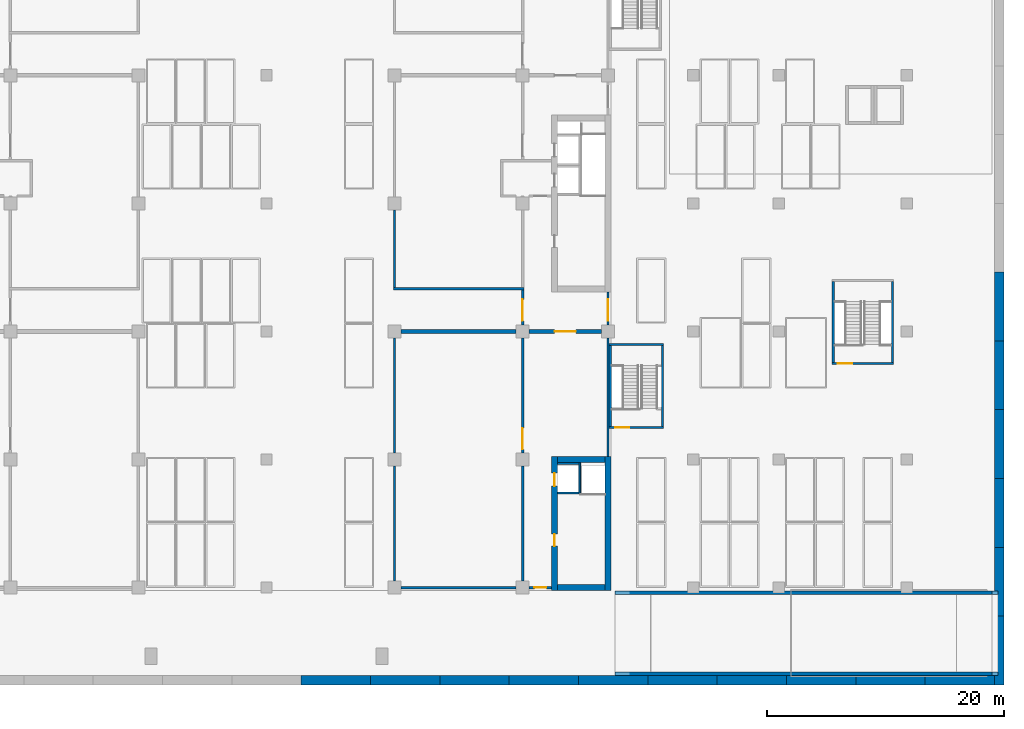
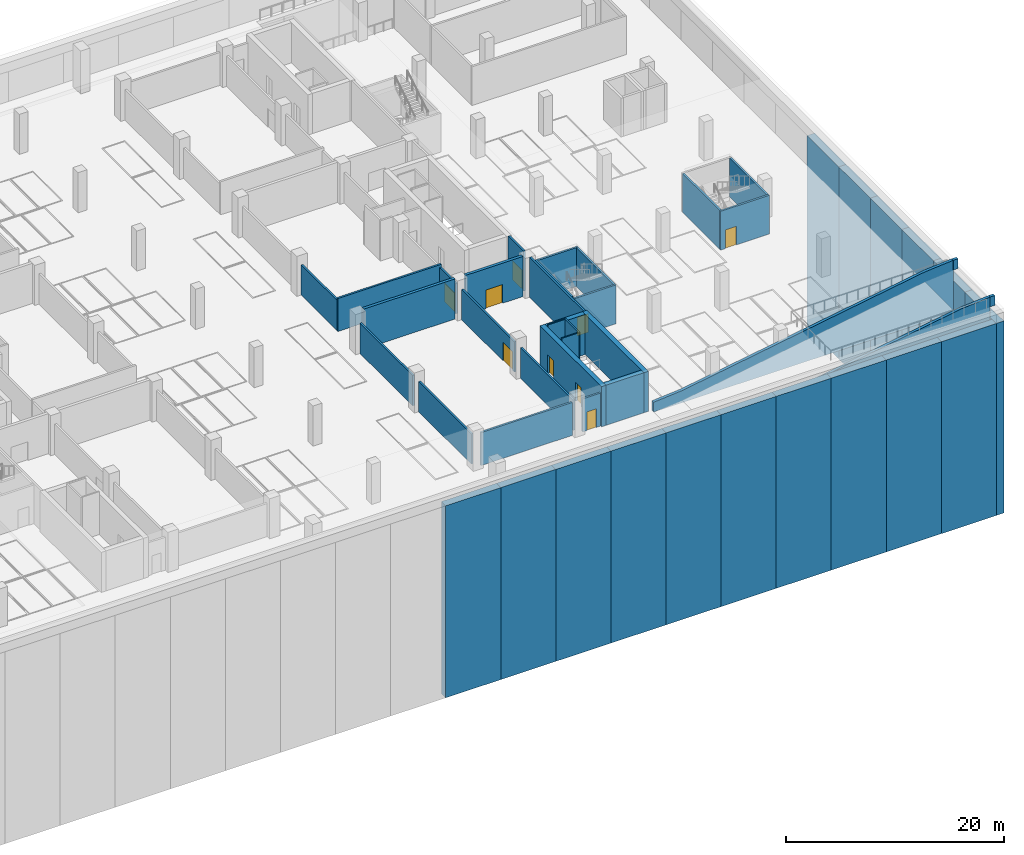
# One storey, part 5 of 18: 47 walls, 9 doors, 9 openings.
"""IFC4 building model written with IfcOpenShell, lengths in metres."""

from ifc_helpers import new_model, si_unit, direction, frame, frame_2d, origin, place, context, subcontext, project, spatial, polyline, rectangle, outline, extrude, material, layer, layer_set, type_object, element, fill, save


model = new_model("IFC4")

# Units and contexts
model_context = context("Model", 3, precision=1e-05, world=origin(), true_north=direction((0.0, 1.0)))
body_context = subcontext(model_context, "Body", "Model", "MODEL_VIEW")
ifc_project = project(units=[si_unit("LENGTHUNIT", "METRE"), si_unit("AREAUNIT", "SQUARE_METRE"), si_unit("VOLUMEUNIT", "CUBIC_METRE"), si_unit("PLANEANGLEUNIT", "RADIAN"), si_unit("MASSUNIT", "GRAM", prefix="KILO")], contexts=[model_context])

# Site, building, storey
site_placement = place(None, origin())
site = spatial("IfcSite", under=ifc_project, at=site_placement, CompositionType="ELEMENT")
building_placement = place(site_placement, origin())
building = spatial("IfcBuilding", under=site, at=building_placement, Name="Basin Gate Institute", CompositionType="ELEMENT")
storey_placement = place(building_placement, frame((0.0, 0.0, -4.800048828125)))
storey = spatial("IfcBuildingStorey", under=building, at=storey_placement, Name="B1", CompositionType="ELEMENT", Elevation=-4.800048828125)

# Wall
ifc_material_1 = material(Name="Concrete 50 MPa", Category="concrete")
ifc_layer_1 = layer(ifc_material_1, 0.199951171875)
ifc_layer_set_1 = layer_set([ifc_layer_1], Name="Concrete 50 MPa")
wall_type_1 = type_object("IfcWallType", Name="Basement bearing wall W66 REI 180", PredefinedType="SOLIDWALL", material=ifc_layer_set_1)
wall_1_placement = place(storey_placement, frame((118.800048828125, 46.14990234375, 0.0), z_axis=(0.0, 0.0, 1.0), x_axis=(0.0, 1.0, 0.0)))
element("IfcWall", 1, at=wall_1_placement, inside=storey, type_object=wall_type_1, material=ifc_layer_set_1, Name="Service Corridor B1 East bearing wall", PredefinedType="SOLIDWALL", context=body_context, shape_type="SweptSolid", body=[
    extrude(rectangle(XDim=10.0, YDim=0.199951171875, at=frame_2d((5.0, 0.0))), origin(), (0.0, 0.0, 1.0), 4.5),
])

# Wall, opening, door
wall_2_placement = place(storey_placement, frame((118.800048828125, 57.25, 0.0), z_axis=(0.0, 0.0, 1.0), x_axis=(0.0, 1.0, 0.0)))
wall_2 = element("IfcWall", 2, at=wall_2_placement, inside=storey, type_object=wall_type_1, material=ifc_layer_set_1, Name="Service Corridor B1 East bearing wall", PredefinedType="SOLIDWALL", context=body_context, shape_type="SweptSolid", body=[
    extrude(rectangle(XDim=2.800048828125, YDim=0.199951171875, at=frame_2d((1.39990234375, 0.0))), origin(), (0.0, 0.0, 1.0), 4.5),
])
opening_1_placement = place(wall_2_placement, frame((0.35009765625, 0.0, 0.0)))
opening_1 = element("IfcOpeningElement", 3, at=opening_1_placement, cuts=wall_2, Name="Opening DB122", PredefinedType="OPENING", context=body_context, shape_type="SweptSolid", body=[
    extrude(rectangle(XDim=1.800048828125, YDim=2.10009765625, at=frame_2d((0.89990234375, 1.050048828125))), frame((0.0, 0.10986328125, 0.0), z_axis=(0.0, -1.0, 0.0), x_axis=(1.0, 0.0, 0.0)), (0.0, 0.0, 1.0), 0.219970703125),
])
ifc_material_2 = material(Name="Steel door set", Category="steel")
door_type_1 = type_object("IfcDoorType", Name="Double fire door FD120 1800x2100", OperationType="DOUBLE_DOOR_SINGLE_SWING", PredefinedType="DOOR", material=ifc_material_2)
door_1_placement = place(opening_1_placement, origin())
door_1 = element("IfcDoor", 4, at=door_1_placement, inside=storey, type_object=door_type_1, material=ifc_material_2, Name="Door DB122 Service Corridor B1 East", OperationType="DOUBLE_DOOR_SINGLE_SWING", OverallHeight=2.10009765625, OverallWidth=1.800048828125, PredefinedType="DOOR", context=body_context, shape_type="SweptSolid", body=[
    extrude(rectangle(XDim=1.800048828125, YDim=2.10009765625, at=frame_2d((0.89990234375, 1.050048828125))), frame((0.0, 0.02490234375, 0.0), z_axis=(0.0, -1.0, 0.0), x_axis=(1.0, 0.0, 0.0)), (0.0, 0.0, 1.0), 0.050048828125),
])
fill(opening_1, door_1)

# Walls
ifc_material_3 = material(Name="Blockwork", Category="masonry")
ifc_layer_2 = layer(ifc_material_3, 0.199951171875)
ifc_layer_set_2 = layer_set([ifc_layer_2], Name="Basement fire partition EI 120")
wall_type_2 = type_object("IfcWallType", Name="Basement fire partition EI 120", PredefinedType="PARTITIONING", material=ifc_layer_set_2)
wall_3_placement = place(storey_placement, frame((101.35009765625, 35.10009765625, 0.0), z_axis=(0.0, 0.0, 1.0), x_axis=(1.0, 0.0, 0.0)))
element("IfcWall", 5, at=wall_3_placement, inside=storey, type_object=wall_type_2, material=ifc_layer_set_2, Name="Biobank Cold Store fire-resisting wall", PredefinedType="PARTITIONING", context=body_context, shape_type="SweptSolid", body=[
    extrude(rectangle(XDim=9.699951171875, YDim=0.199951171875, at=frame_2d((4.85009765625, 0.0))), origin(), (0.0, 0.0, 1.0), 3.699951171875),
])
wall_4_placement = place(storey_placement, frame((100.699951171875, 60.300048828125, 0.0), z_axis=(0.0, 0.0, 1.0), x_axis=(1.0, 0.0, 0.0)))
element("IfcWall", 6, at=wall_4_placement, inside=storey, type_object=wall_type_2, material=ifc_layer_set_2, Name="Chemical Store fire-resisting wall", PredefinedType="PARTITIONING", context=body_context, shape_type="SweptSolid", body=[
    extrude(rectangle(XDim=11.0, YDim=0.199951171875, at=frame_2d((5.5, 0.0))), origin(), (0.0, 0.0, 1.0), 3.699951171875),
])
wall_5_placement = place(storey_placement, frame((100.800048828125, 35.64990234375, 0.0), z_axis=(0.0, 0.0, 1.0), x_axis=(0.0, 1.0, 0.0)))
element("IfcWall", 7, at=wall_5_placement, inside=storey, type_object=wall_type_2, material=ifc_layer_set_2, Name="Biobank Cold Store fire-resisting wall", PredefinedType="PARTITIONING", context=body_context, shape_type="SweptSolid", body=[
    extrude(rectangle(XDim=9.7001953125, YDim=0.199951171875, at=frame_2d((4.85009765625, 0.0))), origin(), (0.0, 0.0, 1.0), 3.400146484375),
])
wall_6_placement = place(storey_placement, frame((100.800048828125, 46.449951171875, 0.0), z_axis=(0.0, 0.0, 1.0), x_axis=(0.0, 1.0, 0.0)))
element("IfcWall", 8, at=wall_6_placement, inside=storey, type_object=wall_type_2, material=ifc_layer_set_2, Name="Biobank Cold Store fire-resisting wall", PredefinedType="PARTITIONING", context=body_context, shape_type="SweptSolid", body=[
    extrude(rectangle(XDim=9.699951171875, YDim=0.199951171875, at=frame_2d((4.85009765625, 0.0))), origin(), (0.0, 0.0, 1.0), 3.400146484375),
])
wall_7_placement = place(storey_placement, frame((100.800048828125, 60.39990234375, 0.0), z_axis=(0.0, 0.0, 1.0), x_axis=(0.0, 1.0, 0.0)))
element("IfcWall", 9, at=wall_7_placement, inside=storey, type_object=wall_type_2, material=ifc_layer_set_2, Name="Chemical Store fire-resisting wall", PredefinedType="PARTITIONING", context=body_context, shape_type="SweptSolid", body=[
    extrude(rectangle(XDim=6.550048828125, YDim=0.199951171875, at=frame_2d((3.27490234375, 0.0))), origin(), (0.0, 0.0, 1.0), 3.400146484375),
])
wall_8_placement = place(storey_placement, frame((111.60009765625, 35.64990234375, 0.0), z_axis=(0.0, 0.0, 1.0), x_axis=(0.0, 1.0, 0.0)))
element("IfcWall", 10, at=wall_8_placement, inside=storey, type_object=wall_type_2, material=ifc_layer_set_2, Name="Biobank Cold Store fire-resisting wall", PredefinedType="PARTITIONING", context=body_context, shape_type="SweptSolid", body=[
    extrude(rectangle(XDim=9.7001953125, YDim=0.199951171875, at=frame_2d((4.85009765625, 0.0))), origin(), (0.0, 0.0, 1.0), 3.400146484375),
])

# Wall, opening, door
wall_9_placement = place(storey_placement, frame((111.60009765625, 46.449951171875, 0.0), z_axis=(0.0, 0.0, 1.0), x_axis=(0.0, 1.0, 0.0)))
wall_9 = element("IfcWall", 11, at=wall_9_placement, inside=storey, type_object=wall_type_2, material=ifc_layer_set_2, Name="Biobank Cold Store fire-resisting wall", PredefinedType="PARTITIONING", context=body_context, shape_type="SweptSolid", body=[
    extrude(rectangle(XDim=9.699951171875, YDim=0.199951171875, at=frame_2d((4.85009765625, 0.0))), origin(), (0.0, 0.0, 1.0), 3.400146484375),
])
opening_2_placement = place(wall_9_placement, frame((0.300048828125, 0.0, 0.0)))
opening_2 = element("IfcOpeningElement", 12, at=opening_2_placement, cuts=wall_9, Name="Opening DB106", PredefinedType="OPENING", context=body_context, shape_type="SweptSolid", body=[
    extrude(rectangle(XDim=1.800048828125, YDim=2.10009765625, at=frame_2d((0.89990234375, 1.050048828125))), frame((0.0, 0.10986328125, 0.0), z_axis=(0.0, -1.0, 0.0), x_axis=(1.0, 0.0, 0.0)), (0.0, 0.0, 1.0), 0.219970703125),
])
door_2_placement = place(opening_2_placement, origin())
door_2 = element("IfcDoor", 13, at=door_2_placement, inside=storey, type_object=door_type_1, material=ifc_material_2, Name="Door DB106 Biobank Cold Store", OperationType="DOUBLE_DOOR_SINGLE_SWING", OverallHeight=2.10009765625, OverallWidth=1.800048828125, PredefinedType="DOOR", context=body_context, shape_type="SweptSolid", body=[
    extrude(rectangle(XDim=1.800048828125, YDim=2.10009765625, at=frame_2d((0.89990234375, 1.050048828125))), frame((0.0, 0.02490234375, 0.0), z_axis=(0.0, -1.0, 0.0), x_axis=(1.0, 0.0, 0.0)), (0.0, 0.0, 1.0), 0.050048828125),
])
fill(opening_2, door_2)

ifc_material_4 = material(Name="Blockwork", Category="masonry")
ifc_layer_3 = layer(ifc_material_4, 0.199951171875)
ifc_layer_set_3 = layer_set([ifc_layer_3], Name="Basement fire partition EI 60")
wall_type_3 = type_object("IfcWallType", Name="Basement fire partition EI 60", PredefinedType="PARTITIONING", material=ifc_layer_set_3)
wall_10_placement = place(storey_placement, frame((112.14990234375, 35.10009765625, 0.0), z_axis=(0.0, 0.0, 1.0), x_axis=(1.0, 0.0, 0.0)))
wall_10 = element("IfcWall", 14, at=wall_10_placement, inside=storey, type_object=wall_type_3, material=ifc_layer_set_3, Name="Service Corridor B1 East fire-resisting wall", PredefinedType="PARTITIONING", context=body_context, shape_type="SweptSolid", body=[
    extrude(rectangle(XDim=1.900146484375, YDim=0.199951171875, at=frame_2d((0.9501953125, 0.0))), origin(), (0.0, 0.0, 1.0), 3.699951171875),
])
opening_3_placement = place(wall_10_placement, frame((0.449951171875, 0.0, 0.0)))
opening_3 = element("IfcOpeningElement", 15, at=opening_3_placement, cuts=wall_10, Name="Opening DB118", PredefinedType="OPENING", context=body_context, shape_type="SweptSolid", body=[
    extrude(rectangle(XDim=1.0, YDim=2.10009765625, at=frame_2d((0.5, 1.050048828125))), frame((0.0, 0.10986328125, 0.0), z_axis=(0.0, -1.0, 0.0), x_axis=(1.0, 0.0, 0.0)), (0.0, 0.0, 1.0), 0.219970703125),
])
ifc_material_5 = material(Name="Steel door set", Category="steel")
door_type_2 = type_object("IfcDoorType", Name="Fire door FD60 1000x2100", OperationType="NOTDEFINED", PredefinedType="DOOR", material=ifc_material_5)
door_3_placement = place(opening_3_placement, frame((1.0, 0.0, 0.0), z_axis=(0.0, 0.0, 1.0), x_axis=(-1.0, 0.0, 0.0)))
door_3 = element("IfcDoor", 16, at=door_3_placement, inside=storey, type_object=door_type_2, material=ifc_material_5, Name="Door DB118 Service Corridor B1 East", OperationType="SINGLE_SWING_LEFT", OverallHeight=2.10009765625, OverallWidth=1.0, PredefinedType="DOOR", context=body_context, shape_type="SweptSolid", body=[
    extrude(rectangle(XDim=1.0, YDim=2.10009765625, at=frame_2d((0.5, 1.050048828125))), frame((0.0, 0.02490234375, 0.0), z_axis=(0.0, -1.0, 0.0), x_axis=(1.0, 0.0, 0.0)), (0.0, 0.0, 1.0), 0.050048828125),
])
fill(opening_3, door_3)

wall_11_placement = place(storey_placement, frame((111.60009765625, 57.25, 0.0), z_axis=(0.0, 0.0, 1.0), x_axis=(0.0, 1.0, 0.0)))
wall_11 = element("IfcWall", 17, at=wall_11_placement, inside=storey, type_object=wall_type_3, material=ifc_layer_set_3, Name="Service Corridor B1 East fire-resisting wall", PredefinedType="PARTITIONING", context=body_context, shape_type="SweptSolid", body=[
    extrude(rectangle(XDim=2.949951171875, YDim=0.199951171875, at=frame_2d((1.47509765625, 0.0))), origin(), (0.0, 0.0, 1.0), 3.400146484375),
])
opening_4_placement = place(wall_11_placement, frame((0.35009765625, 0.0, 0.0)))
opening_4 = element("IfcOpeningElement", 18, at=opening_4_placement, cuts=wall_11, Name="Opening DB120", PredefinedType="OPENING", context=body_context, shape_type="SweptSolid", body=[
    extrude(rectangle(XDim=1.800048828125, YDim=2.10009765625, at=frame_2d((0.89990234375, 1.050048828125))), frame((0.0, 0.10986328125, 0.0), z_axis=(0.0, -1.0, 0.0), x_axis=(1.0, 0.0, 0.0)), (0.0, 0.0, 1.0), 0.219970703125),
])
ifc_material_6 = material(Name="Steel door set", Category="steel")
door_type_3 = type_object("IfcDoorType", Name="Double fire door FD60 1800x2100", OperationType="DOUBLE_DOOR_SINGLE_SWING", PredefinedType="DOOR", material=ifc_material_6)
door_4_placement = place(opening_4_placement, frame((1.800048828125, 0.0, 0.0), z_axis=(0.0, 0.0, 1.0), x_axis=(-1.0, 0.0, 0.0)))
door_4 = element("IfcDoor", 19, at=door_4_placement, inside=storey, type_object=door_type_3, material=ifc_material_6, Name="Door DB120 Service Corridor B1 East", OperationType="DOUBLE_DOOR_SINGLE_SWING", OverallHeight=2.10009765625, OverallWidth=1.800048828125, PredefinedType="DOOR", context=body_context, shape_type="SweptSolid", body=[
    extrude(rectangle(XDim=1.800048828125, YDim=2.10009765625, at=frame_2d((0.89990234375, 1.050048828125))), frame((0.0, 0.02490234375, 0.0), z_axis=(0.0, -1.0, 0.0), x_axis=(1.0, 0.0, 0.0)), (0.0, 0.0, 1.0), 0.050048828125),
])
fill(opening_4, door_4)

ifc_material_7 = material(Name="Concrete 35 MPa", Category="concrete")
ifc_layer_4 = layer(ifc_material_7, 0.199951171875)
ifc_layer_set_4 = layer_set([ifc_layer_4], Name="Concrete 35 MPa")
wall_type_4 = type_object("IfcWallType", Name="Basement stair enclosure wall W67 REI 120", PredefinedType="SOLIDWALL", material=ifc_layer_set_4)
wall_12_placement = place(storey_placement, frame((118.89990234375, 48.60009765625, 0.0), z_axis=(0.0, 0.0, 1.0), x_axis=(1.0, 0.0, 0.0)))
wall_12 = element("IfcWall", 20, at=wall_12_placement, inside=storey, type_object=wall_type_4, material=ifc_layer_set_4, Name="Stair Enclosure BS3 B1 enclosure wall", PredefinedType="SOLIDWALL", context=body_context, shape_type="SweptSolid", body=[
    extrude(rectangle(XDim=4.60009765625, YDim=0.199951171875, at=frame_2d((2.300048828125, 0.0))), origin(), (0.0, 0.0, 1.0), 4.35009765625),
])
opening_5_placement = place(wall_12_placement, frame((0.5, 0.0, 0.0)))
opening_5 = element("IfcOpeningElement", 21, at=opening_5_placement, cuts=wall_12, Name="Opening DB133", PredefinedType="OPENING", context=body_context, shape_type="SweptSolid", body=[
    extrude(rectangle(XDim=1.199951171875, YDim=2.10009765625, at=frame_2d((0.60009765625, 1.050048828125))), frame((0.0, 0.10986328125, 0.0), z_axis=(0.0, -1.0, 0.0), x_axis=(1.0, 0.0, 0.0)), (0.0, 0.0, 1.0), 0.219970703125),
])
ifc_material_8 = material(Name="Steel door set", Category="steel")
door_type_4 = type_object("IfcDoorType", Name="Stair door FD120 1200x2100", OperationType="NOTDEFINED", PredefinedType="DOOR", material=ifc_material_8)
door_5_placement = place(opening_5_placement, origin())
door_5 = element("IfcDoor", 22, at=door_5_placement, inside=storey, type_object=door_type_4, material=ifc_material_8, Name="Door DB133 Stair Enclosure BS3 B1", OperationType="SINGLE_SWING_LEFT", OverallHeight=2.10009765625, OverallWidth=1.199951171875, PredefinedType="DOOR", context=body_context, shape_type="SweptSolid", body=[
    extrude(rectangle(XDim=1.199951171875, YDim=2.10009765625, at=frame_2d((0.60009765625, 1.050048828125))), frame((0.0, 0.02490234375, 0.0), z_axis=(0.0, -1.0, 0.0), x_axis=(1.0, 0.0, 0.0)), (0.0, 0.0, 1.0), 0.050048828125),
])
fill(opening_5, door_5)

wall_13_placement = place(storey_placement, frame((137.699951171875, 54.0, 0.0), z_axis=(0.0, 0.0, 1.0), x_axis=(1.0, 0.0, 0.0)))
wall_13 = element("IfcWall", 23, at=wall_13_placement, inside=storey, type_object=wall_type_4, material=ifc_layer_set_4, Name="Stair Enclosure BS6 B1 enclosure wall", PredefinedType="SOLIDWALL", context=body_context, shape_type="SweptSolid", body=[
    extrude(rectangle(XDim=5.199951171875, YDim=0.199951171875, at=frame_2d((2.60009765625, 0.0))), origin(), (0.0, 0.0, 1.0), 4.35009765625),
])
opening_6_placement = place(wall_13_placement, frame((0.5, 0.0, 0.0)))
opening_6 = element("IfcOpeningElement", 24, at=opening_6_placement, cuts=wall_13, Name="Opening DB136", PredefinedType="OPENING", context=body_context, shape_type="SweptSolid", body=[
    extrude(rectangle(XDim=1.199951171875, YDim=2.10009765625, at=frame_2d((0.60009765625, 1.050048828125))), frame((0.0, 0.10986328125, 0.0), z_axis=(0.0, -1.0, 0.0), x_axis=(1.0, 0.0, 0.0)), (0.0, 0.0, 1.0), 0.219970703125),
])
door_6_placement = place(opening_6_placement, frame((1.199951171875, 0.0, 0.0), z_axis=(0.0, 0.0, 1.0), x_axis=(-1.0, 0.0, 0.0)))
door_6 = element("IfcDoor", 25, at=door_6_placement, inside=storey, type_object=door_type_4, material=ifc_material_8, Name="Door DB136 Stair Enclosure BS6 B1", OperationType="SINGLE_SWING_RIGHT", OverallHeight=2.10009765625, OverallWidth=1.199951171875, PredefinedType="DOOR", context=body_context, shape_type="SweptSolid", body=[
    extrude(rectangle(XDim=1.199951171875, YDim=2.10009765625, at=frame_2d((0.60009765625, 1.050048828125))), frame((0.0, 0.02490234375, 0.0), z_axis=(0.0, -1.0, 0.0), x_axis=(1.0, 0.0, 0.0)), (0.0, 0.0, 1.0), 0.050048828125),
])
fill(opening_6, door_6)

# Walls
wall_14_placement = place(storey_placement, frame((118.89990234375, 55.60009765625, 0.0), z_axis=(0.0, 0.0, 1.0), x_axis=(1.0, 0.0, 0.0)))
element("IfcWall", 26, at=wall_14_placement, inside=storey, type_object=wall_type_4, material=ifc_layer_set_4, Name="Stair Enclosure BS3 B1 enclosure wall", PredefinedType="SOLIDWALL", context=body_context, shape_type="SweptSolid", body=[
    extrude(rectangle(XDim=4.60009765625, YDim=0.199951171875, at=frame_2d((2.300048828125, 0.0))), origin(), (0.0, 0.0, 1.0), 4.35009765625),
])
wall_15_placement = place(storey_placement, frame((119.0, 48.699951171875, 0.0), z_axis=(0.0, 0.0, 1.0), x_axis=(0.0, 1.0, 0.0)))
element("IfcWall", 27, at=wall_15_placement, inside=storey, type_object=wall_type_4, material=ifc_layer_set_4, Name="Stair Enclosure BS3 B1 enclosure wall", PredefinedType="SOLIDWALL", context=body_context, shape_type="SweptSolid", body=[
    extrude(rectangle(XDim=6.800048828125, YDim=0.199951171875, at=frame_2d((3.39990234375, 0.0))), origin(), (0.0, 0.0, 1.0), 4.5),
])
wall_16_placement = place(storey_placement, frame((123.39990234375, 48.699951171875, 0.0), z_axis=(0.0, 0.0, 1.0), x_axis=(0.0, 1.0, 0.0)))
element("IfcWall", 28, at=wall_16_placement, inside=storey, type_object=wall_type_4, material=ifc_layer_set_4, Name="Stair Enclosure BS3 B1 enclosure wall", PredefinedType="SOLIDWALL", context=body_context, shape_type="SweptSolid", body=[
    extrude(rectangle(XDim=6.800048828125, YDim=0.199951171875, at=frame_2d((3.39990234375, 0.0))), origin(), (0.0, 0.0, 1.0), 4.35009765625),
])
for number, where, z_axis, x_axis, name in (
    (29, (137.800048828125, 54.10009765625, 0.0), (0.0, 0.0, 1.0), (0.0, 1.0, 0.0), "Stair Enclosure BS6 B1 enclosure wall"),
    (30, (142.800048828125, 54.10009765625, 0.0), (0.0, 0.0, 1.0), (0.0, 1.0, 0.0), "Stair Enclosure BS6 B1 enclosure wall"),
):
    element("IfcWall", number, at=place(storey_placement, frame(where, z_axis=z_axis, x_axis=x_axis)), inside=storey, type_object=wall_type_4, material=ifc_layer_set_4, Name=name, PredefinedType="SOLIDWALL", context=body_context, shape_type="SweptSolid", body=[
        extrude(rectangle(XDim=6.7998046875, YDim=0.199951171875, at=frame_2d((3.39990234375, 0.0))), origin(), (0.0, 0.0, 1.0), 4.35009765625),
    ])
ifc_material_9 = material(Name="Concrete 40 MPa", Category="concrete")
ifc_layer_5 = layer(ifc_material_9, 0.800048828125)
ifc_layer_set_5 = layer_set([ifc_layer_5], Name="Concrete 40 MPa")
wall_type_5 = type_object("IfcWallType", Name="Wall DW1 R180", PredefinedType="SOLIDWALL", material=ifc_layer_set_5)
for number, where, z_axis, x_axis, name in (
    (31, (151.800048828125, 26.89990234375, -18.199951171875), (0.0, 0.0, 1.0), (0.0, 1.0, 0.0), "WALL/B1/BASE/E/01"),
    (32, (151.800048828125, 32.699951171875, -18.199951171875), (0.0, 0.0, 1.0), (0.0, 1.0, 0.0), "WALL/B1/BASE/E/02"),
    (33, (151.800048828125, 38.5, -18.199951171875), (0.0, 0.0, 1.0), (0.0, 1.0, 0.0), "WALL/B1/BASE/E/03"),
    (34, (151.800048828125, 44.300048828125, -18.199951171875), (0.0, 0.0, 1.0), (0.0, 1.0, 0.0), "WALL/B1/BASE/E/04"),
):
    element("IfcWall", number, at=place(storey_placement, frame(where, z_axis=z_axis, x_axis=x_axis)), inside=storey, type_object=wall_type_5, material=ifc_layer_set_5, Name=name, PredefinedType="SOLIDWALL", context=body_context, shape_type="SweptSolid", body=[
        extrude(rectangle(XDim=5.800048828125, YDim=0.800048828125, at=frame_2d((2.89990234375, 0.0))), origin(), (0.0, 0.0, 1.0), 21.550048828125),
    ])
wall_17_placement = place(storey_placement, frame((151.800048828125, 50.10009765625, -18.199951171875), z_axis=(0.0, 0.0, 1.0), x_axis=(0.0, 1.0, 0.0)))
element("IfcWall", 35, at=wall_17_placement, inside=storey, type_object=wall_type_5, material=ifc_layer_set_5, Name="WALL/B1/BASE/E/05", PredefinedType="SOLIDWALL", context=body_context, shape_type="SweptSolid", body=[
    extrude(rectangle(XDim=5.7998046875, YDim=0.800048828125, at=frame_2d((2.89990234375, 0.0))), origin(), (0.0, 0.0, 1.0), 21.550048828125),
])
wall_18_placement = place(storey_placement, frame((151.800048828125, 55.89990234375, -18.199951171875), z_axis=(0.0, 0.0, 1.0), x_axis=(0.0, 1.0, 0.0)))
element("IfcWall", 36, at=wall_18_placement, inside=storey, type_object=wall_type_5, material=ifc_layer_set_5, Name="WALL/B1/BASE/E/06", PredefinedType="SOLIDWALL", context=body_context, shape_type="SweptSolid", body=[
    extrude(rectangle(XDim=5.800048828125, YDim=0.800048828125, at=frame_2d((2.89990234375, 0.0))), origin(), (0.0, 0.0, 1.0), 21.550048828125),
])
for number, where, z_axis, x_axis, name in (
    (37, (92.923828125, 27.300048828125, -18.199951171875), (0.0, 0.0, 1.0), (1.0, 0.0, 0.0), "WALL/B1/BASE/S/12"),
    (38, (98.771484375, 27.300048828125, -18.199951171875), (0.0, 0.0, 1.0), (1.0, 0.0, 0.0), "WALL/B1/BASE/S/13"),
):
    element("IfcWall", number, at=place(storey_placement, frame(where, z_axis=z_axis, x_axis=x_axis)), inside=storey, type_object=wall_type_5, material=ifc_layer_set_5, Name=name, PredefinedType="SOLIDWALL", context=body_context, shape_type="SweptSolid", body=[
        extrude(rectangle(XDim=5.84765625, YDim=0.800048828125, at=frame_2d((2.923828125, 0.0))), origin(), (0.0, 0.0, 1.0), 21.550048828125),
    ])
wall_19_placement = place(storey_placement, frame((104.619140625, 27.300048828125, -18.199951171875), z_axis=(0.0, 0.0, 1.0), x_axis=(1.0, 0.0, 0.0)))
element("IfcWall", 39, at=wall_19_placement, inside=storey, type_object=wall_type_5, material=ifc_layer_set_5, Name="WALL/B1/BASE/S/14", PredefinedType="SOLIDWALL", context=body_context, shape_type="SweptSolid", body=[
    extrude(rectangle(XDim=5.847412109375, YDim=0.800048828125, at=frame_2d((2.923828125, 0.0))), origin(), (0.0, 0.0, 1.0), 21.550048828125),
])
for number, where, z_axis, x_axis, name in (
    (40, (110.466552734375, 27.300048828125, -18.199951171875), (0.0, 0.0, 1.0), (1.0, 0.0, 0.0), "WALL/B1/BASE/S/15"),
    (41, (116.314208984375, 27.300048828125, -18.199951171875), (0.0, 0.0, 1.0), (1.0, 0.0, 0.0), "WALL/B1/BASE/S/16"),
    (42, (122.161865234375, 27.300048828125, -18.199951171875), (0.0, 0.0, 1.0), (1.0, 0.0, 0.0), "WALL/B1/BASE/S/17"),
    (43, (128.009521484375, 27.300048828125, -18.199951171875), (0.0, 0.0, 1.0), (1.0, 0.0, 0.0), "WALL/B1/BASE/S/18"),
    (44, (133.857177734375, 27.300048828125, -18.199951171875), (0.0, 0.0, 1.0), (1.0, 0.0, 0.0), "WALL/B1/BASE/S/19"),
    (45, (139.704833984375, 27.300048828125, -18.199951171875), (0.0, 0.0, 1.0), (1.0, 0.0, 0.0), "WALL/B1/BASE/S/20"),
):
    element("IfcWall", number, at=place(storey_placement, frame(where, z_axis=z_axis, x_axis=x_axis)), inside=storey, type_object=wall_type_5, material=ifc_layer_set_5, Name=name, PredefinedType="SOLIDWALL", context=body_context, shape_type="SweptSolid", body=[
        extrude(rectangle(XDim=5.84765625, YDim=0.800048828125, at=frame_2d((2.923828125, 0.0))), origin(), (0.0, 0.0, 1.0), 21.550048828125),
    ])
wall_20_placement = place(storey_placement, frame((145.552490234375, 27.300048828125, -18.199951171875), z_axis=(0.0, 0.0, 1.0), x_axis=(1.0, 0.0, 0.0)))
element("IfcWall", 46, at=wall_20_placement, inside=storey, type_object=wall_type_5, material=ifc_layer_set_5, Name="WALL/B1/BASE/S/21", PredefinedType="SOLIDWALL", context=body_context, shape_type="SweptSolid", body=[
    extrude(rectangle(XDim=5.847412109375, YDim=0.800048828125, at=frame_2d((2.923828125, 0.0))), origin(), (0.0, 0.0, 1.0), 21.550048828125),
])
ifc_material_10 = material(Name="Concrete 40 MPa", Category="concrete")
ifc_layer_6 = layer(ifc_material_10, 0.14990234375)
ifc_layer_set_6 = layer_set([ifc_layer_6], Name="Concrete 40 MPa")
wall_type_6 = type_object("IfcWallType", Name="Wall LS1 lift shaft enclosure R180", PredefinedType="SOLIDWALL", material=ifc_layer_set_6)
wall_21_placement = place(storey_placement, frame((116.425048828125, 43.0, 0.0), z_axis=(0.0, 0.0, 1.0), x_axis=(0.0, 1.0, 0.0)))
element("IfcWall", 47, at=wall_21_placement, inside=storey, type_object=wall_type_6, material=ifc_layer_set_6, Name="Lift shaft enclosure LP4 B1 UL", PredefinedType="SOLIDWALL", context=body_context, shape_type="SweptSolid", body=[
    extrude(rectangle(XDim=2.64990234375, YDim=0.14990234375, at=frame_2d((1.324951171875, 0.0))), origin(), (0.0, 0.0, 1.0), 4.800048828125),
])
for number, where, z_axis, x_axis, name in (
    (48, (116.35009765625, 43.074951171875, 0.0), (0.0, 0.0, 1.0), (-1.0, 0.0, 0.0), "Lift shaft enclosure LP4 B1 RL"),
    (49, (116.35009765625, 45.574951171875, 0.0), (0.0, 0.0, 1.0), (-1.0, 0.0, 0.0), "Lift shaft enclosure LP4 B1 RH"),
):
    element("IfcWall", number, at=place(storey_placement, frame(where, z_axis=z_axis, x_axis=x_axis)), inside=storey, type_object=wall_type_6, material=ifc_layer_set_6, Name=name, PredefinedType="SOLIDWALL", context=body_context, shape_type="SweptSolid", body=[
        extrude(rectangle(XDim=1.800048828125, YDim=0.14990234375, at=frame_2d((0.89990234375, 0.0))), origin(), (0.0, 0.0, 1.0), 4.800048828125),
    ])
ifc_material_11 = material(Name="Concrete 40 MPa", Category="concrete")
ifc_layer_7 = layer(ifc_material_11, 0.300048828125)
ifc_layer_set_7 = layer_set([ifc_layer_7], Name="Concrete 40 MPa")
wall_type_7 = type_object("IfcWallType", Name="Wall RW1 ramp wall R180", PredefinedType="SOLIDWALL", material=ifc_layer_set_7)
for number, where, z_axis, x_axis, name in (
    (50, (151.199951171875, 27.85009765625, 0.0), (0.0, 0.0, 1.0), (-1.0, 0.0, 0.0), "Ramp wall RW1 R1 south"),
    (51, (151.199951171875, 34.64990234375, 0.0), (0.0, 0.0, 1.0), (-1.0, 0.0, 0.0), "Ramp wall RW1 R1 north"),
):
    element("IfcWall", number, at=place(storey_placement, frame(where, z_axis=z_axis, x_axis=x_axis)), inside=storey, type_object=wall_type_7, material=ifc_layer_set_7, Name=name, PredefinedType="SOLIDWALL", context=body_context, shape_type="SweptSolid", body=[
        extrude(outline(polyline([(0.0, 0.0), (31.800048828125, 0.0), (31.800048828125, 1.10009765625), (31.0, 1.166748046875), (30.0, 1.25), (29.0, 1.333251953125), (28.800048828125, 1.35009765625), (28.0, 1.4833984375), (27.0, 1.650146484375), (26.0, 1.816650390625), (25.0, 1.9833984375), (24.0, 2.150146484375), (23.0, 2.316650390625), (22.0, 2.4833984375), (21.0, 2.650146484375), (20.0, 2.816650390625), (19.0, 2.9833984375), (18.0, 3.150146484375), (17.0, 3.316650390625), (16.89990234375, 3.333251953125), (16.0, 3.4833984375), (15.0, 3.650146484375), (14.0, 3.816650390625), (13.0, 3.9833984375), (12.0, 4.150146484375), (11.0, 4.316650390625), (10.0, 4.4833984375), (9.0, 4.650146484375), (8.0, 4.816650390625), (7.0, 4.9833984375), (6.0, 5.150146484375), (5.0, 5.316650390625), (4.0, 5.4833984375), (3.0, 5.650146484375), (2.0, 5.7333984375), (1.0, 5.816650390625), (0.0, 5.900146484375), (0.0, 0.0)])), frame((0.0, 0.14990234375, 0.0), z_axis=(0.0, -1.0, 0.0), x_axis=(1.0, 0.0, 0.0)), (0.0, 0.0, 1.0), 0.300048828125),
    ])
for number, where, z_axis, x_axis, name in (
    (52, (151.199951171875, 27.85009765625, 4.800048828125), (0.0, 0.0, 1.0), (1.0, 0.0, 0.0), "Ramp wall RW1 R1 landing south"),
    (53, (151.199951171875, 34.64990234375, 4.800048828125), (0.0, 0.0, 1.0), (1.0, 0.0, 0.0), "Ramp wall RW1 R1 landing north"),
):
    element("IfcWall", number, at=place(storey_placement, frame(where, z_axis=z_axis, x_axis=x_axis)), inside=storey, type_object=wall_type_7, material=ifc_layer_set_7, Name=name, PredefinedType="SOLIDWALL", context=body_context, shape_type="SweptSolid", body=[
        extrude(rectangle(XDim=0.5, YDim=0.300048828125, at=frame_2d((0.25, 0.0))), origin(), (0.0, 0.0, 1.0), 1.10009765625),
    ])
ifc_material_12 = material(Name="Concrete 60 MPa", Category="concrete")
ifc_layer_8 = layer(ifc_material_12, 0.5)
ifc_layer_set_8 = layer_set([ifc_layer_8], Name="Concrete 60 MPa")
wall_type_8 = type_object("IfcWallType", Name="Wall SW1 R180", PredefinedType="SHEAR", material=ifc_layer_set_8)
wall_22_placement = place(storey_placement, frame((118.800048828125, 34.85009765625, 0.0), z_axis=(0.0, 0.0, 1.0), x_axis=(0.0, 1.0, 0.0)))
element("IfcWall", 54, at=wall_22_placement, inside=storey, type_object=wall_type_8, material=ifc_layer_set_8, Name="WALL/B1/ES/L", PredefinedType="SHEAR", context=body_context, shape_type="SweptSolid", body=[
    extrude(rectangle(XDim=11.2998046875, YDim=0.5, at=frame_2d((5.64990234375, 0.0))), origin(), (0.0, 0.0, 1.0), 4.5),
])

# Wall, openings, doors
wall_23_placement = place(storey_placement, frame((114.300048828125, 34.85009765625, 0.0), z_axis=(0.0, 0.0, 1.0), x_axis=(0.0, 1.0, 0.0)))
wall_23 = element("IfcWall", 55, at=wall_23_placement, inside=storey, type_object=wall_type_8, material=ifc_layer_set_8, Name="WALL/B1/ES/C", PredefinedType="SHEAR", context=body_context, shape_type="SweptSolid", body=[
    extrude(rectangle(XDim=11.2998046875, YDim=0.5, at=frame_2d((5.64990234375, 0.0))), origin(), (0.0, 0.0, 1.0), 4.5),
])
opening_7_placement = place(wall_23_placement, frame((8.800048828125, 0.0, 0.0)))
opening_7 = element("IfcOpeningElement", 56, at=opening_7_placement, cuts=wall_23, Name="Opening LD071", PredefinedType="OPENING", context=body_context, shape_type="SweptSolid", body=[
    extrude(rectangle(XDim=1.10009765625, YDim=2.10009765625, at=frame_2d((0.550048828125, 1.050048828125))), frame((0.0, 0.260009765625, 0.0), z_axis=(0.0, -1.0, 0.0), x_axis=(1.0, 0.0, 0.0)), (0.0, 0.0, 1.0), 0.52001953125),
])
opening_8_placement = place(wall_23_placement, frame((3.75, 0.0, 0.0)))
opening_8 = element("IfcOpeningElement", 57, at=opening_8_placement, cuts=wall_23, Name="Opening DB127", PredefinedType="OPENING", context=body_context, shape_type="SweptSolid", body=[
    extrude(rectangle(XDim=1.0, YDim=2.10009765625, at=frame_2d((0.5, 1.050048828125))), frame((0.0, 0.260009765625, 0.0), z_axis=(0.0, -1.0, 0.0), x_axis=(1.0, 0.0, 0.0)), (0.0, 0.0, 1.0), 0.52001953125),
])
ifc_material_13 = material(Name="Stainless steel", Category="steel")
door_type_5 = type_object("IfcDoorType", Name="FD60 Lift landing door LD", OperationType="SLIDING_TO_LEFT", PredefinedType="DOOR", material=ifc_material_13)
door_7_placement = place(opening_7_placement, origin())
door_7 = element("IfcDoor", 58, at=door_7_placement, inside=storey, type_object=door_type_5, material=ifc_material_13, Name="Lift landing door LP4 B1", OperationType="SLIDING_TO_LEFT", OverallHeight=2.10009765625, OverallWidth=1.10009765625, PredefinedType="DOOR", context=body_context, shape_type="SweptSolid", body=[
    extrude(rectangle(XDim=1.10009765625, YDim=2.10009765625, at=frame_2d((0.550048828125, 1.050048828125))), frame((0.0, 0.02490234375, 0.0), z_axis=(0.0, -1.0, 0.0), x_axis=(1.0, 0.0, 0.0)), (0.0, 0.0, 1.0), 0.050048828125),
])
fill(opening_7, door_7)
door_8_placement = place(opening_8_placement, frame((1.0, 0.0, 0.0), z_axis=(0.0, 0.0, 1.0), x_axis=(-1.0, 0.0, 0.0)))
door_8 = element("IfcDoor", 59, at=door_8_placement, inside=storey, type_object=door_type_2, material=ifc_material_5, Name="Door DB127 Mechanical Riser Room B1 ES", OperationType="SINGLE_SWING_RIGHT", OverallHeight=2.10009765625, OverallWidth=1.0, PredefinedType="DOOR", context=body_context, shape_type="SweptSolid", body=[
    extrude(rectangle(XDim=1.0, YDim=2.10009765625, at=frame_2d((0.5, 1.050048828125))), frame((0.0, 0.02490234375, 0.0), z_axis=(0.0, -1.0, 0.0), x_axis=(1.0, 0.0, 0.0)), (0.0, 0.0, 1.0), 0.050048828125),
])
fill(opening_8, door_8)

# Walls
for number, where, z_axis, x_axis, name in (
    (60, (118.550048828125, 35.10009765625, 0.0), (0.0, 0.0, 1.0), (-1.0, 0.0, 0.0), "WALL/B1/ES/S"),
    (61, (118.550048828125, 45.89990234375, 0.0), (0.0, 0.0, 1.0), (-1.0, 0.0, 0.0), "WALL/B1/ES/N"),
):
    element("IfcWall", number, at=place(storey_placement, frame(where, z_axis=z_axis, x_axis=x_axis)), inside=storey, type_object=wall_type_8, material=ifc_layer_set_8, Name=name, PredefinedType="SHEAR", context=body_context, shape_type="SweptSolid", body=[
        extrude(rectangle(XDim=4.0, YDim=0.5, at=frame_2d((2.0, 0.0))), origin(), (0.0, 0.0, 1.0), 4.5),
    ])

# Wall, opening, door
ifc_material_14 = material(Name="Concrete 50 MPa", Category="concrete")
ifc_layer_9 = layer(ifc_material_14, 0.300048828125)
ifc_layer_set_9 = layer_set([ifc_layer_9], Name="Concrete 50 MPa")
wall_type_9 = type_object("IfcWallType", Name="Wall XW1 R180", PredefinedType="SHEAR", material=ifc_layer_set_9)
wall_24_placement = place(storey_placement, frame((118.25, 56.699951171875, 0.0), z_axis=(0.0, 0.0, 1.0), x_axis=(-1.0, 0.0, 0.0)))
wall_24 = element("IfcWall", 62, at=wall_24_placement, inside=storey, type_object=wall_type_9, material=ifc_layer_set_9, Name="WALL/B1/EXC/1", PredefinedType="SHEAR", context=body_context, shape_type="SweptSolid", body=[
    extrude(rectangle(XDim=6.10009765625, YDim=0.300048828125, at=frame_2d((3.050048828125, 0.0))), origin(), (0.0, 0.0, 1.0), 4.5),
])
opening_9_placement = place(wall_24_placement, frame((2.14990234375, 0.0, 0.0)))
opening_9 = element("IfcOpeningElement", 63, at=opening_9_placement, cuts=wall_24, Name="Opening DB139", PredefinedType="OPENING", context=body_context, shape_type="SweptSolid", body=[
    extrude(rectangle(XDim=1.800048828125, YDim=2.10009765625, at=frame_2d((0.89990234375, 1.050048828125))), frame((0.0, 0.16015625, 0.0), z_axis=(0.0, -1.0, 0.0), x_axis=(1.0, 0.0, 0.0)), (0.0, 0.0, 1.0), 0.320068359375),
])
door_9_placement = place(opening_9_placement, origin())
door_9 = element("IfcDoor", 64, at=door_9_placement, inside=storey, type_object=door_type_3, material=ifc_material_6, Name="Door DB139 Service Corridor B1 East compartment wall", OperationType="DOUBLE_DOOR_SINGLE_SWING", OverallHeight=2.10009765625, OverallWidth=1.800048828125, PredefinedType="DOOR", context=body_context, shape_type="SweptSolid", body=[
    extrude(rectangle(XDim=1.800048828125, YDim=2.10009765625, at=frame_2d((0.89990234375, 1.050048828125))), frame((0.0, 0.02490234375, 0.0), z_axis=(0.0, -1.0, 0.0), x_axis=(1.0, 0.0, 0.0)), (0.0, 0.0, 1.0), 0.050048828125),
])
fill(opening_9, door_9)

# Wall
wall_25_placement = place(storey_placement, frame((111.050048828125, 56.699951171875, 0.0), z_axis=(0.0, 0.0, 1.0), x_axis=(-1.0, 0.0, 0.0)))
element("IfcWall", 65, at=wall_25_placement, inside=storey, type_object=wall_type_9, material=ifc_layer_set_9, Name="WALL/B1/EXC/2", PredefinedType="SHEAR", context=body_context, shape_type="SweptSolid", body=[
    extrude(rectangle(XDim=9.699951171875, YDim=0.300048828125, at=frame_2d((4.85009765625, 0.0))), origin(), (0.0, 0.0, 1.0), 4.5),
])

save(model, "model.ifc")
